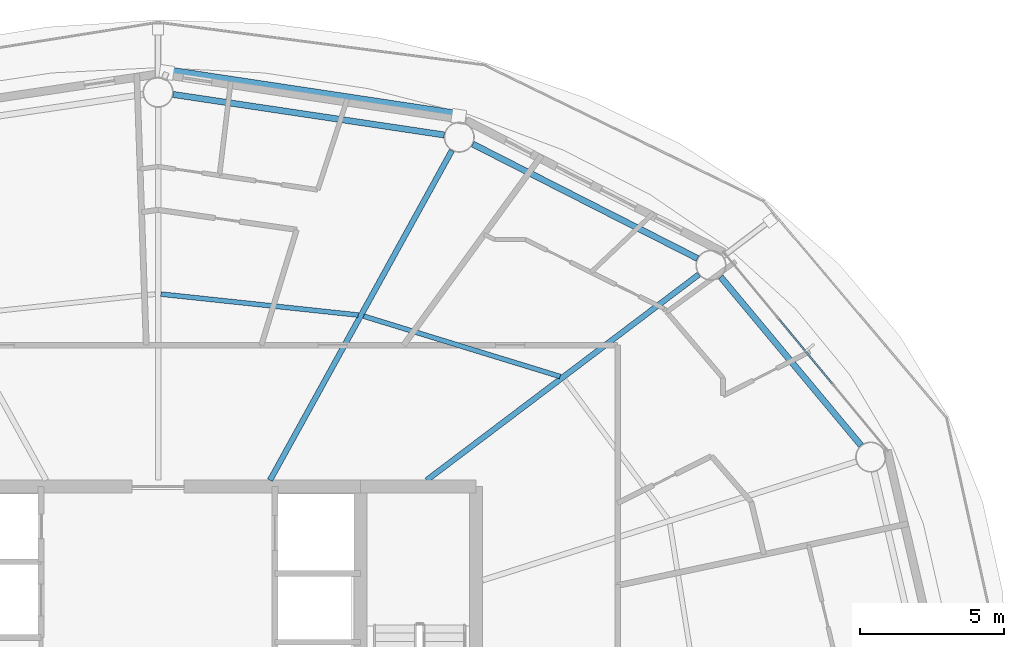
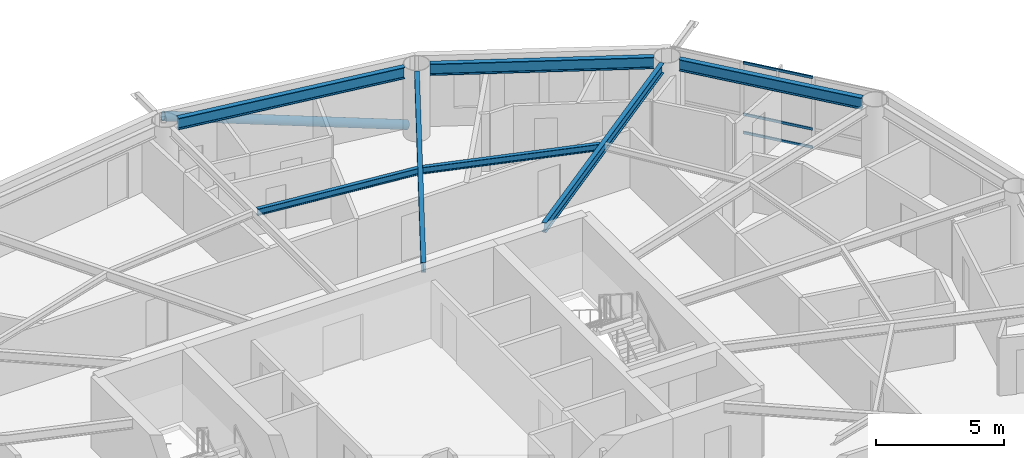
# One storey, part 14 of 30: 7 beams, 4 members, 1 element without a shape of its own.
"""IFC4 building model written with IfcOpenShell, lengths in metres."""

from ifc_helpers import new_model, si_unit, direction, frame, origin, origin_2d, place, context, subcontext, project, spatial, hollow_rectangle, hollow_circle, i_section, extrude, material, layer, layer_set, material_profile, profile_set, type_object, element, aggregate, save


model = new_model("IFC4")

# Units and contexts
model_context = context("Model", 3, precision=1e-05, world=origin(), true_north=direction((0.0, 1.0)))
body_context = subcontext(model_context, "Body", "Model", "MODEL_VIEW")
ifc_project = project(units=[si_unit("LENGTHUNIT", "METRE"), si_unit("AREAUNIT", "SQUARE_METRE"), si_unit("VOLUMEUNIT", "CUBIC_METRE"), si_unit("PLANEANGLEUNIT", "RADIAN"), si_unit("MASSUNIT", "GRAM", prefix="KILO")], contexts=[model_context])

# Site, building, storey
site_placement = place(None, origin())
site = spatial("IfcSite", under=ifc_project, at=site_placement, CompositionType="ELEMENT")
building_placement = place(site_placement, origin())
building = spatial("IfcBuilding", under=site, at=building_placement, Name="Sarneth Arch Tower", CompositionType="ELEMENT")
storey_placement = place(building_placement, frame((0.0, 0.0, 168.60009765625)))
storey = spatial("IfcBuildingStorey", under=building, at=storey_placement, Name="L42", CompositionType="ELEMENT", Elevation=168.60009765625)

# Beams
ifc_material_1 = material(Name="Steel S355", Category="steel")
ifc_material_profile_1 = material_profile(ifc_material_1, i_section(OverallWidth=0.1669921875, OverallDepth=0.31689453125, WebThickness=0.007568359375, FlangeThickness=0.01318359375, FilletRadius=0.012939453125, at=origin_2d()), Name="W310x52")
ifc_profile_set_1 = profile_set([ifc_material_profile_1], Name="Steel S355")
beam_type_1 = type_object("IfcBeamType", Name="BM-JOIST-310B", PredefinedType="JOIST", material=ifc_profile_set_1)
beam_1_placement = place(storey_placement, frame((61.912841796875, 52.61279296875, 3.221435546875), z_axis=(-0.955929549608, 0.293596144707, 0.0), x_axis=(-0.293596144707, -0.955929549608, 0.0)))
element("IfcBeam", 1, at=beam_1_placement, inside=storey, type_object=beam_type_1, Name="L42 Secondary floor joist 03", PredefinedType="JOIST", context=body_context, shape_type="SweptSolid", body=[
    extrude(i_section(OverallWidth=0.1669921875, OverallDepth=0.31689453125, WebThickness=0.007568359375, FlangeThickness=0.01318359375, FilletRadius=0.012939453125, at=origin_2d()), origin(), (0.0, 0.0, 1.0), 7.1123046875),
])
beam_2_placement = place(storey_placement, frame((54.92578125, 54.739501953125, 3.221435546875), z_axis=(-0.994407831942, 0.105608066799, 0.0), x_axis=(-0.105608066799, -0.994407831942, 0.0)))
element("IfcBeam", 2, at=beam_2_placement, inside=storey, type_object=beam_type_1, Name="L42 Secondary floor joist 04", PredefinedType="JOIST", context=body_context, shape_type="SweptSolid", body=[
    extrude(i_section(OverallWidth=0.1669921875, OverallDepth=0.31689453125, WebThickness=0.007568359375, FlangeThickness=0.01318359375, FilletRadius=0.012939453125, at=origin_2d()), origin(), (0.0, 0.0, 1.0), 6.8681640625),
])
ifc_material_2 = material(Name="Steel S355", Category="steel")
ifc_material_profile_2 = material_profile(ifc_material_2, i_section(OverallWidth=0.193115234375, OverallDepth=0.466064453125, WebThickness=0.011474609375, FlangeThickness=0.01904296875, FilletRadius=0.01806640625, at=origin_2d()), Name="W460x97")
ifc_profile_set_2 = profile_set([ifc_material_profile_2], Name="Steel S355")
beam_type_2 = type_object("IfcBeamType", Name="BM-RAD-460C", PredefinedType="BEAM", material=ifc_profile_set_2)
beam_3_placement = place(storey_placement, frame((57.29541015625, 49.02490234375, 3.14697265625), z_axis=(0.797786205076, 0.602940437349, 0.0), x_axis=(-0.602940437349, 0.797786205076, 0.0)))
element("IfcBeam", 3, at=beam_3_placement, inside=storey, type_object=beam_type_2, Name="L42 Radial floor girder 03", PredefinedType="BEAM", context=body_context, shape_type="SweptSolid", body=[
    extrude(i_section(OverallWidth=0.193115234375, OverallDepth=0.466064453125, WebThickness=0.011474609375, FlangeThickness=0.01904296875, FilletRadius=0.01806640625, at=origin_2d()), origin(), (0.0, 0.0, 1.0), 11.806884765625),
])
beam_4_placement = place(storey_placement, frame((51.875, 49.02490234375, 3.14697265625), z_axis=(0.483004525121, 0.87561785541, 0.0), x_axis=(-0.87561785541, 0.483004525121, 0.0)))
element("IfcBeam", 4, at=beam_4_placement, inside=storey, type_object=beam_type_2, Name="L42 Radial floor girder 04", PredefinedType="BEAM", context=body_context, shape_type="SweptSolid", body=[
    extrude(i_section(OverallWidth=0.193115234375, OverallDepth=0.466064453125, WebThickness=0.011474609375, FlangeThickness=0.01904296875, FilletRadius=0.01806640625, at=origin_2d()), origin(), (0.0, 0.0, 1.0), 13.029296875),
])
ifc_material_3 = material(Name="Steel S355", Category="steel")
ifc_material_profile_3 = material_profile(ifc_material_3, i_section(OverallWidth=0.214111328125, OverallDepth=0.549072265625, WebThickness=0.0146484375, FlangeThickness=0.023681640625, FilletRadius=0.01806640625, at=origin_2d()), Name="W530x138")
ifc_profile_set_3 = profile_set([ifc_material_profile_3], Name="Steel S355")
beam_type_3 = type_object("IfcBeamType", Name="BM-RAD-530A", PredefinedType="BEAM", material=ifc_profile_set_3)
beam_5_placement = place(storey_placement, frame((72.326171875, 50.229248046875, 3.10546875), z_axis=(-0.640171737024, 0.768231831621, 0.0), x_axis=(-0.768231831621, -0.640171737024, 0.0)))
element("IfcBeam", 5, at=beam_5_placement, inside=storey, type_object=beam_type_3, Name="L42 Perimeter spandrel beam 02", PredefinedType="BEAM", context=body_context, shape_type="SweptSolid", body=[
    extrude(i_section(OverallWidth=0.214111328125, OverallDepth=0.549072265625, WebThickness=0.0146484375, FlangeThickness=0.023681640625, FilletRadius=0.01806640625, at=origin_2d()), origin(), (0.0, 0.0, 1.0), 7.585693359375),
])
beam_6_placement = place(storey_placement, frame((66.665771484375, 56.698486328125, 3.10546875), z_axis=(-0.891254220899, 0.453504039374, 0.0), x_axis=(-0.453504039374, -0.891254220899, 0.0)))
element("IfcBeam", 6, at=beam_6_placement, inside=storey, type_object=beam_type_3, Name="L42 Perimeter spandrel beam 03", PredefinedType="BEAM", context=body_context, shape_type="SweptSolid", body=[
    extrude(i_section(OverallWidth=0.214111328125, OverallDepth=0.549072265625, WebThickness=0.0146484375, FlangeThickness=0.023681640625, FilletRadius=0.01806640625, at=origin_2d()), origin(), (0.0, 0.0, 1.0), 8.724853515625),
])
beam_7_placement = place(storey_placement, frame((57.902587890625, 60.970947265625, 3.10546875), z_axis=(-0.989027145133, 0.14773390332, 0.0), x_axis=(-0.14773390332, -0.989027145133, 0.0)))
element("IfcBeam", 7, at=beam_7_placement, inside=storey, type_object=beam_type_3, Name="L42 Perimeter spandrel beam 04", PredefinedType="BEAM", context=body_context, shape_type="SweptSolid", body=[
    extrude(i_section(OverallWidth=0.214111328125, OverallDepth=0.549072265625, WebThickness=0.0146484375, FlangeThickness=0.023681640625, FilletRadius=0.01806640625, at=origin_2d()), origin(), (0.0, 0.0, 1.0), 9.4873046875),
])

# Curtain wall, members
ifc_material_4 = material(Name="Anodised aluminium Type AA25 and solar-control low-e laminated IGU", Category="aluminium")
ifc_layer = layer(ifc_material_4, 0.169921875)
ifc_layer_set = layer_set([ifc_layer], Name="Anodised aluminium Type AA25 and solar-control low-e laminated IGU")
curtain_wall_type = type_object("IfcCurtainWallType", Name="CW-RES-MID", PredefinedType="NOTDEFINED", material=ifc_layer_set)
curtain_wall_placement = place(storey_placement, origin())
curtain_wall = element("IfcCurtainWall", 8, at=curtain_wall_placement, inside=storey, type_object=curtain_wall_type, Name="L42 Unitised curtain wall facet 02", PredefinedType="NOTDEFINED")
ifc_material_5 = material(Name="Anodised Aluminium 6063-T6", Category="aluminium")
ifc_material_profile_4 = material_profile(ifc_material_5, hollow_rectangle(XDim=0.06005859375, YDim=0.1201171875, WallThickness=0.00390625, at=origin_2d()), Name="AL-TRAN-120x60x4")
ifc_profile_set_4 = profile_set([ifc_material_profile_4], Name="Anodised Aluminium 6063-T6")
member_type_1 = type_object("IfcMemberType", Name="CW-TRANSOM", PredefinedType="USERDEFINED", material=ifc_profile_set_4)
member_1_placement = place(storey_placement, frame((71.327880859375, 52.36962890625, 0.02978515625), z_axis=(-0.637329777791, 0.770591171985, 0.0), x_axis=(-0.770591171985, -0.637329777791, 0.0)))
member_1 = element("IfcMember", 9, at=member_1_placement, type_object=member_type_1, Name="CW-SYS-5 transom 2.1", ObjectType="TRANSOM", PredefinedType="USERDEFINED", context=body_context, shape_type="SweptSolid", body=[
    extrude(hollow_rectangle(XDim=0.06005859375, YDim=0.1201171875, WallThickness=0.00390625, at=origin_2d()), origin(), (0.0, 0.0, 1.0), 2.898193359375),
])
member_2_placement = place(storey_placement, frame((71.327880859375, 52.36962890625, 0.89990234375), z_axis=(-0.637329777791, 0.770591171985, 0.0), x_axis=(-0.770591171985, -0.637329777791, 0.0)))
member_2 = element("IfcMember", 10, at=member_2_placement, type_object=member_type_1, Name="CW-SYS-5 transom 2.2", ObjectType="TRANSOM", PredefinedType="USERDEFINED", context=body_context, shape_type="SweptSolid", body=[
    extrude(hollow_rectangle(XDim=0.06005859375, YDim=0.1201171875, WallThickness=0.00390625, at=origin_2d()), origin(), (0.0, 0.0, 1.0), 2.898193359375),
])
member_3_placement = place(storey_placement, frame((71.327880859375, 52.36962890625, 3.349853515625), z_axis=(-0.637329777791, 0.770591171985, 0.0), x_axis=(-0.770591171985, -0.637329777791, 0.0)))
member_3 = element("IfcMember", 11, at=member_3_placement, type_object=member_type_1, Name="CW-SYS-5 transom 2.3", ObjectType="TRANSOM", PredefinedType="USERDEFINED", context=body_context, shape_type="SweptSolid", body=[
    extrude(hollow_rectangle(XDim=0.06005859375, YDim=0.1201171875, WallThickness=0.00390625, at=origin_2d()), origin(), (0.0, 0.0, 1.0), 2.898193359375),
])
aggregate(curtain_wall, [member_1, member_2, member_3])

# Member
ifc_material_6 = material(Name="Steel S355", Category="steel")
ifc_material_profile_5 = material_profile(ifc_material_6, hollow_circle(Radius=0.202880859375, WallThickness=0.01611328125, at=origin_2d()), Name="CHS406x16")
ifc_profile_set_5 = profile_set([ifc_material_profile_5], Name="Steel S355")
member_type_2 = type_object("IfcMemberType", Name="MEM-DIAG-BR2", PredefinedType="BRACE", material=ifc_profile_set_5)
member_4_placement = place(storey_placement, frame((58.404296875, 61.612548828125, 0.02001953125), z_axis=(-0.948052912183, 0.142822782379, 0.284248708942), x_axis=(-0.148967610144, -0.988842075929, 0.0)))
element("IfcMember", 12, at=member_4_placement, inside=storey, type_object=member_type_2, Name="L42 Perimeter frame diagonal 04", PredefinedType="BRACE", context=body_context, shape_type="SweptSolid", body=[
    extrude(hollow_circle(Radius=0.202880859375, WallThickness=0.01611328125, at=origin_2d()), origin(), (0.0, 0.0, 1.0), 10.66162109375),
])

save(model, "model.ifc")
